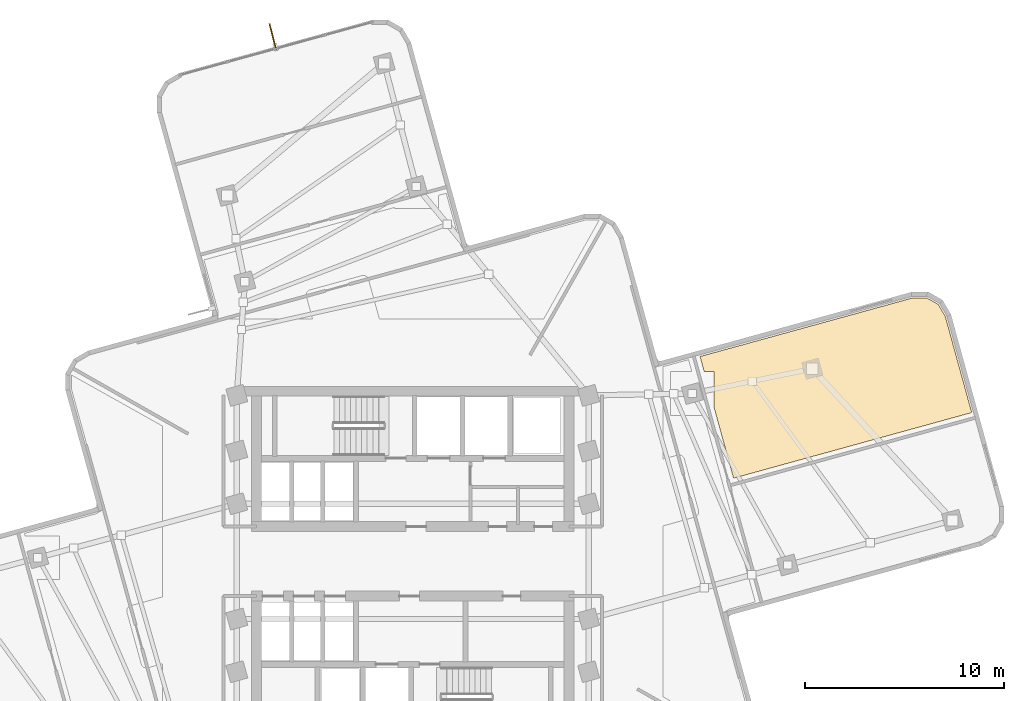
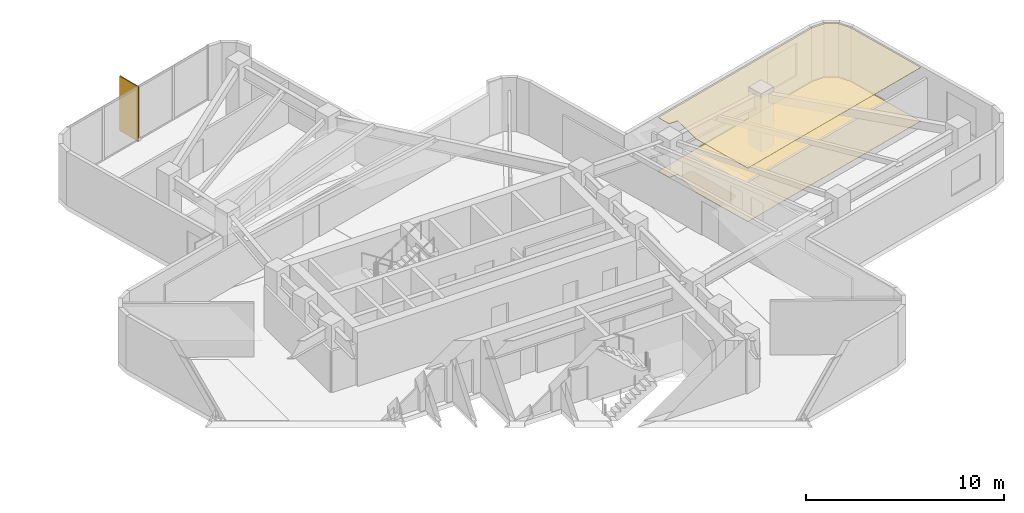
# One storey, part 12 of 12: 2 coverings, 1 shading device.
"""IFC4 building model written with IfcOpenShell, lengths in metres."""

from ifc_helpers import new_model, si_unit, direction, frame, origin, origin_2d, place, context, subcontext, project, spatial, polyline, rectangle, outline, extrude, material, layer, layer_set, type_object, element, save


model = new_model("IFC4")

# Units and contexts
model_context = context("Model", 3, precision=1e-05, world=origin(), true_north=direction((0.0, 1.0)))
body_context = subcontext(model_context, "Body", "Model", "MODEL_VIEW")
ifc_project = project(units=[si_unit("LENGTHUNIT", "METRE"), si_unit("AREAUNIT", "SQUARE_METRE"), si_unit("VOLUMEUNIT", "CUBIC_METRE"), si_unit("PLANEANGLEUNIT", "RADIAN"), si_unit("MASSUNIT", "GRAM", prefix="KILO")], contexts=[model_context])

# Site, building, storey
site_placement = place(None, origin())
site = spatial("IfcSite", under=ifc_project, at=site_placement, CompositionType="ELEMENT")
building_placement = place(site_placement, origin())
building = spatial("IfcBuilding", under=site, at=building_placement, Name="Solmarez Civic Tower", CompositionType="ELEMENT")
storey_placement = place(building_placement, frame((0.0, 0.0, 134.280029296875)))
storey = spatial("IfcBuildingStorey", under=building, at=storey_placement, Name="L35", CompositionType="ELEMENT", Elevation=134.280029296875)

# Coverings
ifc_material_1 = material(Name="Perforated Mineral-Fibre Acoustic Ceiling")
ifc_layer_1 = layer(ifc_material_1, 0.02490234375)
ifc_layer_set_1 = layer_set([ifc_layer_1], Name="Perforated Mineral-Fibre Acoustic Ceiling")
covering_type_1 = type_object("IfcCoveringType", Name="COV-CEIL-ACOUSTIC", PredefinedType="CEILING", material=ifc_layer_set_1)
covering_1_placement = place(storey_placement, frame((0.0, 0.0, 3.294921875)))
element("IfcCovering", 1, at=covering_1_placement, inside=storey, type_object=covering_type_1, Name="L35 Suspended Acoustic Ceiling 5", PredefinedType="CEILING", context=body_context, shape_type="SweptSolid", body=[
    extrude(outline(polyline([(28.12109375, 7.487060546875), (26.791015625, 12.318115234375), (26.431884765625, 12.927978515625), (25.85205078125, 13.258056640625), (25.14306640625, 13.2529296875), (14.451904296875, 10.306884765625), (14.660888671875, 9.544921875), (15.1640625, 9.544921875), (15.1640625, 7.720947265625), (16.137939453125, 4.18603515625), (28.12109375, 7.487060546875)])), origin(), (0.0, 0.0, 1.0), 0.025146484375),
])
ifc_material_2 = material(Name="Polished Tropical Stone Terrazzo Flooring", Category="masonry")
ifc_layer_2 = layer(ifc_material_2, 0.02001953125)
ifc_layer_set_2 = layer_set([ifc_layer_2], Name="Polished Tropical Stone Terrazzo Flooring")
covering_type_2 = type_object("IfcCoveringType", Name="COV-FLOOR-TERRAZZO", PredefinedType="FLOORING", material=ifc_layer_set_2)
covering_2_placement = place(storey_placement, origin())
element("IfcCovering", 2, at=covering_2_placement, inside=storey, type_object=covering_type_2, Name="L35 Terrazzo Floor Finish 5", PredefinedType="FLOORING", context=body_context, shape_type="SweptSolid", body=[
    extrude(outline(polyline([(28.12109375, 7.487060546875), (26.791015625, 12.318115234375), (26.431884765625, 12.927978515625), (25.85205078125, 13.258056640625), (25.14306640625, 13.2529296875), (14.451904296875, 10.306884765625), (14.660888671875, 9.544921875), (15.1640625, 9.544921875), (15.1640625, 7.720947265625), (16.137939453125, 4.18603515625), (28.12109375, 7.487060546875)])), origin(), (0.0, 0.0, 1.0), 0.02001953125),
])

# Shading device
ifc_material_3 = material(Name="Bronze Anodised Aluminium EN AW-6063 T6", Category="aluminium")
ifc_layer_3 = layer(ifc_material_3, 0.06005859375)
ifc_layer_set_3 = layer_set([ifc_layer_3], Name="Bronze Anodised Aluminium EN AW-6063 T6")
shading_device_type = type_object("IfcShadingDeviceType", Name="FIN-BRONZE-Z34", PredefinedType="USERDEFINED", material=ifc_layer_set_3)
shading_device_placement = place(storey_placement, frame((-7.041015625, 26.39306640625, -0.0400390625), z_axis=(0.0, 0.0, 1.0), x_axis=(-0.244799751878, 0.969573659647, 0.0)))
element("IfcShadingDevice", 3, at=shading_device_placement, inside=storey, type_object=shading_device_type, Name="L35 Anodised Bronze Solar Fin FIN-L35-05", ObjectType="FIN", PredefinedType="USERDEFINED", context=body_context, shape_type="SweptSolid", body=[
    extrude(rectangle(XDim=1.35009765625, YDim=0.06005859375, at=origin_2d()), origin(), (0.0, 0.0, 1.0), 3.360107421875),
])

save(model, "model.ifc")
